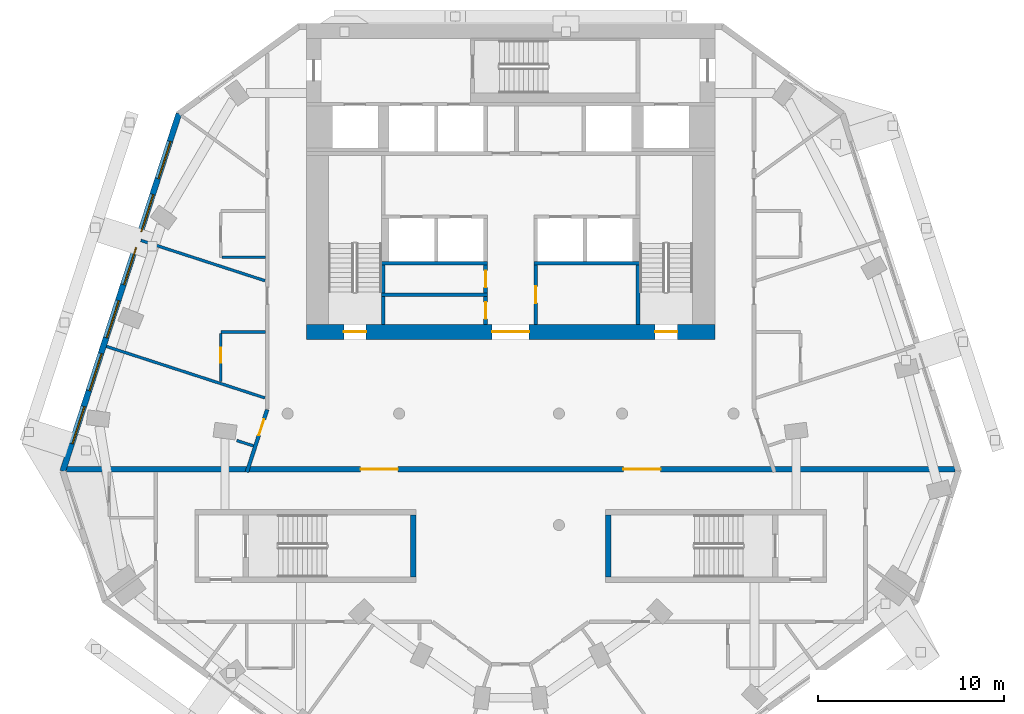
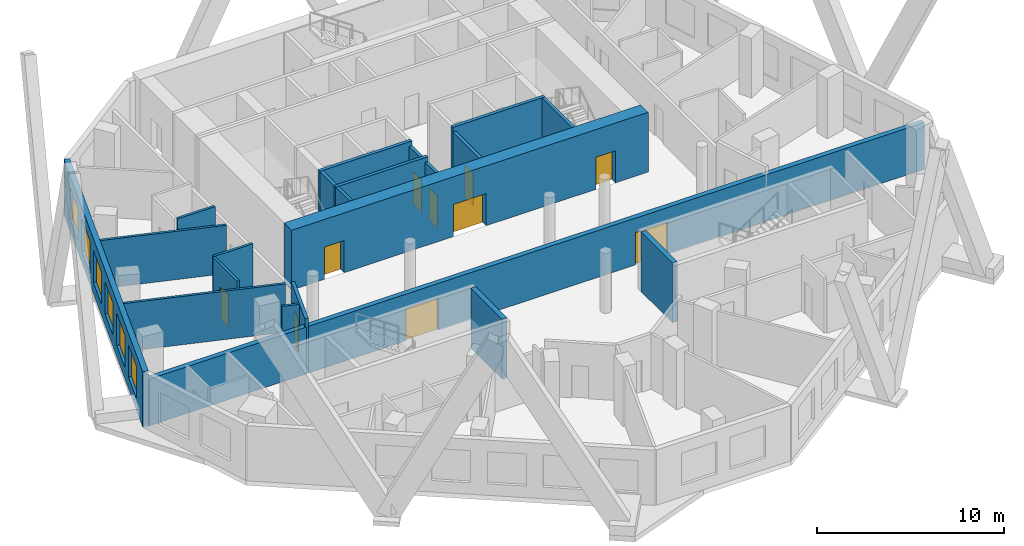
# One storey, part 4 of 10: 21 walls, 10 doors, 6 windows, 16 openings.
"""IFC4 building model written with IfcOpenShell, lengths in metres."""

from ifc_helpers import new_model, si_unit, direction, frame, frame_2d, origin, place, context, subcontext, project, spatial, rectangle, extrude, material, layer, layer_set, type_object, element, fill, save


model = new_model("IFC4")

# Units and contexts
model_context = context("Model", 3, precision=1e-05, world=origin(), true_north=direction((0.0, 1.0)))
body_context = subcontext(model_context, "Body", "Model", "MODEL_VIEW")
ifc_project = project(units=[si_unit("LENGTHUNIT", "METRE"), si_unit("AREAUNIT", "SQUARE_METRE"), si_unit("VOLUMEUNIT", "CUBIC_METRE"), si_unit("PLANEANGLEUNIT", "RADIAN"), si_unit("MASSUNIT", "GRAM", prefix="KILO")], contexts=[model_context])

# Site, building, storey
site_placement = place(None, origin())
site = spatial("IfcSite", under=ifc_project, at=site_placement, CompositionType="ELEMENT")
building_placement = place(site_placement, origin())
building = spatial("IfcBuilding", under=site, at=building_placement, Name="White Candle Pilgrim Tower", CompositionType="ELEMENT")
storey_placement = place(building_placement, frame((0.0, 0.0, 231.60009765625)))
storey = spatial("IfcBuildingStorey", under=building, at=storey_placement, Name="L54", CompositionType="ELEMENT", Elevation=231.60009765625)

# Wall, opening, door
ifc_material_1 = material(Name="Gypsum board on steel studs", Category="steel")
ifc_layer_1 = layer(ifc_material_1, 0.199951171875)
ifc_layer_set_1 = layer_set([ifc_layer_1], Name="Corridor wall 200 mm EI 45")
wall_type_1 = type_object("IfcWallType", Name="Corridor wall 200 mm EI 45", PredefinedType="PARTITIONING", material=ifc_layer_set_1)
wall_1_placement = place(storey_placement, frame((55.802978515625, 63.85009765625, 0.0), z_axis=(0.0, 0.0, 1.0), x_axis=(0.309026709141, 0.951053359721, 0.0)))
wall_1 = element("IfcWall", 1, at=wall_1_placement, inside=storey, type_object=wall_type_1, Name="WL-L54-P002", PredefinedType="PARTITIONING", context=body_context, shape_type="SweptSolid", body=[
    extrude(rectangle(XDim=3.53369140625, YDim=0.199951171875, at=frame_2d((1.766845703125, 0.0))), origin(), (0.0, 0.0, 1.0), 3.599853515625),
])
opening_1_placement = place(wall_1_placement, frame((2.091796875, 0.0, 0.0)))
opening_1 = element("IfcOpeningElement", 2, at=opening_1_placement, cuts=wall_1, Name="Opening T17-119", PredefinedType="OPENING", context=body_context, shape_type="SweptSolid", body=[
    extrude(rectangle(XDim=0.89990234375, YDim=2.10009765625, at=frame_2d((0.449951171875, 1.050048828125))), frame((0.0, 0.10986328125, 0.0), z_axis=(0.0, -1.0, 0.0), x_axis=(1.0, 0.0, 0.0)), (0.0, 0.0, 1.0), 0.219970703125),
])
ifc_material_2 = material(Name="Steel door leaf", Category="steel")
door_type_1 = type_object("IfcDoorType", Name="Fire door 900 x 2100 EI 30", OperationType="NOTDEFINED", PredefinedType="DOOR", material=ifc_material_2)
door_1_placement = place(opening_1_placement, origin())
door_1 = element("IfcDoor", 3, at=door_1_placement, inside=storey, type_object=door_type_1, Name="Door T17-119", OperationType="SINGLE_SWING_LEFT", OverallHeight=2.10009765625, OverallWidth=0.89990234375, PredefinedType="DOOR", context=body_context, shape_type="SweptSolid", body=[
    extrude(rectangle(XDim=0.89990234375, YDim=2.10009765625, at=frame_2d((0.449951171875, 1.050048828125))), frame((0.0, 0.02490234375, 0.0), z_axis=(0.0, -1.0, 0.0), x_axis=(1.0, 0.0, 0.0)), (0.0, 0.0, 1.0), 0.050048828125),
])
fill(opening_1, door_1)

# Wall, openings, windows
ifc_material_3 = material(Name="Precast concrete C40/50", Category="concrete")
ifc_layer_2 = layer(ifc_material_3, 0.320068359375)
ifc_layer_set_2 = layer_set([ifc_layer_2], Name="Facade wall EW1 precast concrete C40/50 pier wall with timber-lined reveals")
wall_type_2 = type_object("IfcWallType", Name="Facade wall EW1 precast concrete C40/50 pier wall with timber-lined reveals", PredefinedType="SOLIDWALL", material=ifc_layer_set_2)
wall_2_placement = place(storey_placement, frame((52.14453125, 83.138916015625, 0.0), z_axis=(0.0, 0.0, 1.0), x_axis=(-0.309017027312, -0.951056505593, 0.0)))
wall_2 = element("IfcWall", 4, at=wall_2_placement, inside=storey, type_object=wall_type_2, Name="Facade wall L54 WNW", PredefinedType="SOLIDWALL", context=body_context, shape_type="SweptSolid", body=[
    extrude(rectangle(XDim=20.228515625, YDim=0.320068359375, at=frame_2d((10.1142578125, 0.0))), origin(), (0.0, 0.0, 1.0), 3.599853515625),
])
opening_2_placement = place(wall_2_placement, frame((1.564453125, 0.0, 0.75)))
opening_2 = element("IfcOpeningElement", 5, at=opening_2_placement, cuts=wall_2, Name="Opening W3", PredefinedType="OPENING", context=body_context, shape_type="SweptSolid", body=[
    extrude(rectangle(XDim=2.10009765625, YDim=2.10009765625, at=frame_2d((1.050048828125, 1.050048828125))), frame((0.0, 0.169921875, 0.0), z_axis=(0.0, -1.0, 0.0), x_axis=(1.0, 0.0, 0.0)), (0.0, 0.0, 1.0), 0.340087890625),
])
opening_3_placement = place(wall_2_placement, frame((4.564453125, 0.0, 0.75)))
opening_3 = element("IfcOpeningElement", 6, at=opening_3_placement, cuts=wall_2, Name="Opening W3", PredefinedType="OPENING", context=body_context, shape_type="SweptSolid", body=[
    extrude(rectangle(XDim=2.10009765625, YDim=2.10009765625, at=frame_2d((1.050048828125, 1.050048828125))), frame((0.0, 0.169921875, 0.0), z_axis=(0.0, -1.0, 0.0), x_axis=(1.0, 0.0, 0.0)), (0.0, 0.0, 1.0), 0.340087890625),
])
opening_4_placement = place(wall_2_placement, frame((7.564453125, 0.0, 0.75)))
opening_4 = element("IfcOpeningElement", 7, at=opening_4_placement, cuts=wall_2, Name="Opening W3", PredefinedType="OPENING", context=body_context, shape_type="SweptSolid", body=[
    extrude(rectangle(XDim=2.10009765625, YDim=2.10009765625, at=frame_2d((1.050048828125, 1.050048828125))), frame((0.0, 0.169921875, 0.0), z_axis=(0.0, -1.0, 0.0), x_axis=(1.0, 0.0, 0.0)), (0.0, 0.0, 1.0), 0.340087890625),
])
opening_5_placement = place(wall_2_placement, frame((10.564453125, 0.0, 0.75)))
opening_5 = element("IfcOpeningElement", 8, at=opening_5_placement, cuts=wall_2, Name="Opening W3", PredefinedType="OPENING", context=body_context, shape_type="SweptSolid", body=[
    extrude(rectangle(XDim=2.10009765625, YDim=2.10009765625, at=frame_2d((1.050048828125, 1.050048828125))), frame((0.0, 0.169921875, 0.0), z_axis=(0.0, -1.0, 0.0), x_axis=(1.0, 0.0, 0.0)), (0.0, 0.0, 1.0), 0.340087890625),
])
opening_6_placement = place(wall_2_placement, frame((13.564453125, 0.0, 0.75)))
opening_6 = element("IfcOpeningElement", 9, at=opening_6_placement, cuts=wall_2, Name="Opening W3", PredefinedType="OPENING", context=body_context, shape_type="SweptSolid", body=[
    extrude(rectangle(XDim=2.10009765625, YDim=2.10009765625, at=frame_2d((1.050048828125, 1.050048828125))), frame((0.0, 0.169921875, 0.0), z_axis=(0.0, -1.0, 0.0), x_axis=(1.0, 0.0, 0.0)), (0.0, 0.0, 1.0), 0.340087890625),
])
opening_7_placement = place(wall_2_placement, frame((16.564453125, 0.0, 0.75)))
opening_7 = element("IfcOpeningElement", 10, at=opening_7_placement, cuts=wall_2, Name="Opening W3", PredefinedType="OPENING", context=body_context, shape_type="SweptSolid", body=[
    extrude(rectangle(XDim=2.10009765625, YDim=2.10009765625, at=frame_2d((1.050048828125, 1.050048828125))), frame((0.0, 0.169921875, 0.0), z_axis=(0.0, -1.0, 0.0), x_axis=(1.0, 0.0, 0.0)), (0.0, 0.0, 1.0), 0.340087890625),
])
ifc_material_4 = material(Name="Timber frame with triple glazing", Category="wood")
window_type = type_object("IfcWindowType", Name="Window W3 2100x2100 timber frame triple glazing", PartitioningType="SINGLE_PANEL", PredefinedType="WINDOW", material=ifc_material_4)
window_1_placement = place(opening_2_placement, origin())
window_1 = element("IfcWindow", 11, at=window_1_placement, inside=storey, type_object=window_type, Name="Window W3 L54 WNW 1", OverallHeight=2.10009765625, OverallWidth=2.10009765625, PartitioningType="SINGLE_PANEL", PredefinedType="WINDOW", context=body_context, shape_type="SweptSolid", body=[
    extrude(rectangle(XDim=2.10009765625, YDim=2.10009765625, at=frame_2d((1.050048828125, 1.050048828125))), frame((0.0, 0.070068359375, 0.0), z_axis=(0.0, -1.0, 0.0), x_axis=(1.0, 0.0, 0.0)), (0.0, 0.0, 1.0), 0.06005859375),
])
fill(opening_2, window_1)
window_2_placement = place(opening_3_placement, origin())
window_2 = element("IfcWindow", 12, at=window_2_placement, inside=storey, type_object=window_type, Name="Window W3 L54 WNW 2", OverallHeight=2.10009765625, OverallWidth=2.10009765625, PartitioningType="SINGLE_PANEL", PredefinedType="WINDOW", context=body_context, shape_type="SweptSolid", body=[
    extrude(rectangle(XDim=2.10009765625, YDim=2.10009765625, at=frame_2d((1.050048828125, 1.050048828125))), frame((0.0, 0.070068359375, 0.0), z_axis=(0.0, -1.0, 0.0), x_axis=(1.0, 0.0, 0.0)), (0.0, 0.0, 1.0), 0.06005859375),
])
fill(opening_3, window_2)
window_3_placement = place(opening_4_placement, origin())
window_3 = element("IfcWindow", 13, at=window_3_placement, inside=storey, type_object=window_type, Name="Window W3 L54 WNW 3", OverallHeight=2.10009765625, OverallWidth=2.10009765625, PartitioningType="SINGLE_PANEL", PredefinedType="WINDOW", context=body_context, shape_type="SweptSolid", body=[
    extrude(rectangle(XDim=2.10009765625, YDim=2.10009765625, at=frame_2d((1.050048828125, 1.050048828125))), frame((0.0, 0.070068359375, 0.0), z_axis=(0.0, -1.0, 0.0), x_axis=(1.0, 0.0, 0.0)), (0.0, 0.0, 1.0), 0.06005859375),
])
fill(opening_4, window_3)
window_4_placement = place(opening_5_placement, origin())
window_4 = element("IfcWindow", 14, at=window_4_placement, inside=storey, type_object=window_type, Name="Window W3 L54 WNW 4", OverallHeight=2.10009765625, OverallWidth=2.10009765625, PartitioningType="SINGLE_PANEL", PredefinedType="WINDOW", context=body_context, shape_type="SweptSolid", body=[
    extrude(rectangle(XDim=2.10009765625, YDim=2.10009765625, at=frame_2d((1.050048828125, 1.050048828125))), frame((0.0, 0.070068359375, 0.0), z_axis=(0.0, -1.0, 0.0), x_axis=(1.0, 0.0, 0.0)), (0.0, 0.0, 1.0), 0.06005859375),
])
fill(opening_5, window_4)
window_5_placement = place(opening_6_placement, origin())
window_5 = element("IfcWindow", 15, at=window_5_placement, inside=storey, type_object=window_type, Name="Window W3 L54 WNW 5", OverallHeight=2.10009765625, OverallWidth=2.10009765625, PartitioningType="SINGLE_PANEL", PredefinedType="WINDOW", context=body_context, shape_type="SweptSolid", body=[
    extrude(rectangle(XDim=2.10009765625, YDim=2.10009765625, at=frame_2d((1.050048828125, 1.050048828125))), frame((0.0, 0.070068359375, 0.0), z_axis=(0.0, -1.0, 0.0), x_axis=(1.0, 0.0, 0.0)), (0.0, 0.0, 1.0), 0.06005859375),
])
fill(opening_6, window_5)
window_6_placement = place(opening_7_placement, origin())
window_6 = element("IfcWindow", 16, at=window_6_placement, inside=storey, type_object=window_type, Name="Window W3 L54 WNW 6", OverallHeight=2.10009765625, OverallWidth=2.10009765625, PartitioningType="SINGLE_PANEL", PredefinedType="WINDOW", context=body_context, shape_type="SweptSolid", body=[
    extrude(rectangle(XDim=2.10009765625, YDim=2.10009765625, at=frame_2d((1.050048828125, 1.050048828125))), frame((0.0, 0.070068359375, 0.0), z_axis=(0.0, -1.0, 0.0), x_axis=(1.0, 0.0, 0.0)), (0.0, 0.0, 1.0), 0.06005859375),
])
fill(opening_7, window_6)

# Wall, openings, doors
ifc_material_5 = material(Name="Aerated concrete block", Category="concrete")
ifc_layer_3 = layer(ifc_material_5, 0.300048828125)
ifc_layer_set_3 = layer_set([ifc_layer_3], Name="Fire wall 300 mm REI 240")
wall_type_3 = type_object("IfcWallType", Name="Fire wall 300 mm REI 240", PredefinedType="PARTITIONING", material=ifc_layer_set_3)
wall_3_placement = place(storey_placement, frame((46.09423828125, 64.0, 0.0), z_axis=(0.0, 0.0, 1.0), x_axis=(1.0, 0.0, 0.0)))
wall_3 = element("IfcWall", 17, at=wall_3_placement, inside=storey, type_object=wall_type_3, Name="WL-L54-P001", PredefinedType="PARTITIONING", context=body_context, shape_type="SweptSolid", body=[
    extrude(rectangle(XDim=47.8115234375, YDim=0.300048828125, at=frame_2d((23.90576171875, 0.0))), origin(), (0.0, 0.0, 1.0), 3.0498046875),
])
opening_8_placement = place(wall_3_placement, frame((15.831787109375, 0.0, 0.0)))
opening_8 = element("IfcOpeningElement", 18, at=opening_8_placement, cuts=wall_3, Name="Opening T17-117", PredefinedType="OPENING", context=body_context, shape_type="SweptSolid", body=[
    extrude(rectangle(XDim=2.0, YDim=2.10009765625, at=frame_2d((1.0, 1.050048828125))), frame((0.0, 0.159912109375, 0.0), z_axis=(0.0, -1.0, 0.0), x_axis=(1.0, 0.0, 0.0)), (0.0, 0.0, 1.0), 0.320068359375),
])
opening_9_placement = place(wall_3_placement, frame((29.97998046875, 0.0, 0.0)))
opening_9 = element("IfcOpeningElement", 19, at=opening_9_placement, cuts=wall_3, Name="Opening T17-118", PredefinedType="OPENING", context=body_context, shape_type="SweptSolid", body=[
    extrude(rectangle(XDim=2.0, YDim=2.10009765625, at=frame_2d((1.0, 1.050048828125))), frame((0.0, 0.159912109375, 0.0), z_axis=(0.0, -1.0, 0.0), x_axis=(1.0, 0.0, 0.0)), (0.0, 0.0, 1.0), 0.320068359375),
])
door_type_2 = type_object("IfcDoorType", Name="Fire door 2000 x 2100 EI 60", OperationType="NOTDEFINED", PredefinedType="DOOR", material=ifc_material_2)
door_2_placement = place(opening_8_placement, origin())
door_2 = element("IfcDoor", 20, at=door_2_placement, inside=storey, type_object=door_type_2, Name="Door T17-117", OperationType="DOUBLE_DOOR_SINGLE_SWING", OverallHeight=2.10009765625, OverallWidth=2.0, PredefinedType="DOOR", context=body_context, shape_type="SweptSolid", body=[
    extrude(rectangle(XDim=2.0, YDim=2.10009765625, at=frame_2d((1.0, 1.050048828125))), frame((0.0, 0.02490234375, 0.0), z_axis=(0.0, -1.0, 0.0), x_axis=(1.0, 0.0, 0.0)), (0.0, 0.0, 1.0), 0.050048828125),
])
fill(opening_8, door_2)
door_3_placement = place(opening_9_placement, origin())
door_3 = element("IfcDoor", 21, at=door_3_placement, inside=storey, type_object=door_type_2, Name="Door T17-118", OperationType="DOUBLE_DOOR_SINGLE_SWING", OverallHeight=2.10009765625, OverallWidth=2.0, PredefinedType="DOOR", context=body_context, shape_type="SweptSolid", body=[
    extrude(rectangle(XDim=2.0, YDim=2.10009765625, at=frame_2d((1.0, 1.050048828125))), frame((0.0, 0.02490234375, 0.0), z_axis=(0.0, -1.0, 0.0), x_axis=(1.0, 0.0, 0.0)), (0.0, 0.0, 1.0), 0.050048828125),
])
fill(opening_9, door_3)

# Wall, opening, door
ifc_layer_4 = layer(ifc_material_1, 0.199951171875)
ifc_layer_set_4 = layer_set([ifc_layer_4], Name="Lobby wall 200 mm EI 60")
wall_type_4 = type_object("IfcWallType", Name="Lobby wall 200 mm EI 60", PredefinedType="PARTITIONING", material=ifc_layer_set_4)
wall_4_placement = place(storey_placement, frame((68.64990234375, 71.800048828125, 0.0), z_axis=(0.0, 0.0, 1.0), x_axis=(0.0, 1.0, 0.0)))
wall_4 = element("IfcWall", 22, at=wall_4_placement, inside=storey, type_object=wall_type_4, Name="WL-L54-C14", PredefinedType="PARTITIONING", context=body_context, shape_type="SweptSolid", body=[
    extrude(rectangle(XDim=1.5, YDim=0.199951171875, at=frame_2d((0.75, 0.0))), origin(), (0.0, 0.0, 1.0), 3.599853515625),
])
opening_10_placement = place(wall_4_placement, frame((0.300048828125, 0.0, 0.0)))
opening_10 = element("IfcOpeningElement", 23, at=opening_10_placement, cuts=wall_4, Name="Opening T17-005", PredefinedType="OPENING", context=body_context, shape_type="SweptSolid", body=[
    extrude(rectangle(XDim=0.89990234375, YDim=2.10009765625, at=frame_2d((0.449951171875, 1.050048828125))), frame((0.0, 0.10986328125, 0.0), z_axis=(0.0, -1.0, 0.0), x_axis=(1.0, 0.0, 0.0)), (0.0, 0.0, 1.0), 0.219970703125),
])
door_4_placement = place(opening_10_placement, origin())
door_4 = element("IfcDoor", 24, at=door_4_placement, inside=storey, type_object=door_type_1, Name="Door T17-005", OperationType="SINGLE_SWING_LEFT", OverallHeight=2.10009765625, OverallWidth=0.89990234375, PredefinedType="DOOR", context=body_context, shape_type="SweptSolid", body=[
    extrude(rectangle(XDim=0.89990234375, YDim=2.10009765625, at=frame_2d((0.449951171875, 1.050048828125))), frame((0.0, 0.02490234375, 0.0), z_axis=(0.0, -1.0, 0.0), x_axis=(1.0, 0.0, 0.0)), (0.0, 0.0, 1.0), 0.050048828125),
])
fill(opening_10, door_4)

wall_5_placement = place(storey_placement, frame((71.35009765625, 71.800048828125, 0.0), z_axis=(0.0, 0.0, 1.0), x_axis=(0.0, 1.0, 0.0)))
wall_5 = element("IfcWall", 25, at=wall_5_placement, inside=storey, type_object=wall_type_4, Name="WL-L54-C15", PredefinedType="PARTITIONING", context=body_context, shape_type="SweptSolid", body=[
    extrude(rectangle(XDim=3.199951171875, YDim=0.199951171875, at=frame_2d((1.60009765625, 0.0))), origin(), (0.0, 0.0, 1.0), 3.599853515625),
])
opening_11_placement = place(wall_5_placement, frame((1.14990234375, 0.0, 0.0)))
opening_11 = element("IfcOpeningElement", 26, at=opening_11_placement, cuts=wall_5, Name="Opening T17-007", PredefinedType="OPENING", context=body_context, shape_type="SweptSolid", body=[
    extrude(rectangle(XDim=0.89990234375, YDim=2.10009765625, at=frame_2d((0.449951171875, 1.050048828125))), frame((0.0, 0.10986328125, 0.0), z_axis=(0.0, -1.0, 0.0), x_axis=(1.0, 0.0, 0.0)), (0.0, 0.0, 1.0), 0.219970703125),
])
door_5_placement = place(opening_11_placement, origin())
door_5 = element("IfcDoor", 27, at=door_5_placement, inside=storey, type_object=door_type_1, Name="Door T17-007", OperationType="SINGLE_SWING_LEFT", OverallHeight=2.10009765625, OverallWidth=0.89990234375, PredefinedType="DOOR", context=body_context, shape_type="SweptSolid", body=[
    extrude(rectangle(XDim=0.89990234375, YDim=2.10009765625, at=frame_2d((0.449951171875, 1.050048828125))), frame((0.0, 0.02490234375, 0.0), z_axis=(0.0, -1.0, 0.0), x_axis=(1.0, 0.0, 0.0)), (0.0, 0.0, 1.0), 0.050048828125),
])
fill(opening_11, door_5)

wall_6_placement = place(storey_placement, frame((68.64990234375, 73.5, 0.0), z_axis=(0.0, 0.0, 1.0), x_axis=(0.0, 1.0, 0.0)))
wall_6 = element("IfcWall", 28, at=wall_6_placement, inside=storey, type_object=wall_type_4, Name="WL-L54-C20", PredefinedType="PARTITIONING", context=body_context, shape_type="SweptSolid", body=[
    extrude(rectangle(XDim=1.5, YDim=0.199951171875, at=frame_2d((0.75, 0.0))), origin(), (0.0, 0.0, 1.0), 3.599853515625),
])
opening_12_placement = place(wall_6_placement, frame((0.300048828125, 0.0, 0.0)))
opening_12 = element("IfcOpeningElement", 29, at=opening_12_placement, cuts=wall_6, Name="Opening T17-006", PredefinedType="OPENING", context=body_context, shape_type="SweptSolid", body=[
    extrude(rectangle(XDim=0.89990234375, YDim=2.10009765625, at=frame_2d((0.449951171875, 1.050048828125))), frame((0.0, 0.10986328125, 0.0), z_axis=(0.0, -1.0, 0.0), x_axis=(1.0, 0.0, 0.0)), (0.0, 0.0, 1.0), 0.219970703125),
])
door_6_placement = place(opening_12_placement, origin())
door_6 = element("IfcDoor", 30, at=door_6_placement, inside=storey, type_object=door_type_1, Name="Door T17-006", OperationType="SINGLE_SWING_RIGHT", OverallHeight=2.10009765625, OverallWidth=0.89990234375, PredefinedType="DOOR", context=body_context, shape_type="SweptSolid", body=[
    extrude(rectangle(XDim=0.89990234375, YDim=2.10009765625, at=frame_2d((0.449951171875, 1.050048828125))), frame((0.0, 0.02490234375, 0.0), z_axis=(0.0, -1.0, 0.0), x_axis=(1.0, 0.0, 0.0)), (0.0, 0.0, 1.0), 0.050048828125),
])
fill(opening_12, door_6)

# Walls
ifc_layer_5 = layer(ifc_material_1, 0.14990234375)
ifc_layer_set_5 = layer_set([ifc_layer_5], Name="Partition 150 mm EI 60")
wall_type_5 = type_object("IfcWallType", Name="Partition 150 mm EI 60", PredefinedType="PARTITIONING", material=ifc_layer_set_5)
wall_7_placement = place(storey_placement, frame((50.098388671875, 76.323486328125, 0.0), z_axis=(0.0, 0.0, 1.0), x_axis=(0.951058338022, -0.30901138762, 0.0)))
element("IfcWall", 31, at=wall_7_placement, inside=storey, type_object=wall_type_5, Name="WL-L54-P019", PredefinedType="PARTITIONING", context=body_context, shape_type="SweptSolid", body=[
    extrude(rectangle(XDim=7.022216796875, YDim=0.14990234375, at=frame_2d((3.51123046875, 0.0))), origin(), (0.0, 0.0, 1.0), 3.14990234375),
])
wall_8_placement = place(storey_placement, frame((48.244140625, 70.6171875, 0.0), z_axis=(0.0, 0.0, 1.0), x_axis=(0.951056063509, -0.309018387903, 0.0)))
element("IfcWall", 32, at=wall_8_placement, inside=storey, type_object=wall_type_5, Name="WL-L54-P020", PredefinedType="PARTITIONING", context=body_context, shape_type="SweptSolid", body=[
    extrude(rectangle(XDim=8.971923828125, YDim=0.14990234375, at=frame_2d((4.48583984375, 0.0))), origin(), (0.0, 0.0, 1.0), 3.14990234375),
])
wall_9_placement = place(storey_placement, frame((56.800048828125, 75.413330078125, 0.0), z_axis=(0.0, 0.0, 1.0), x_axis=(-1.0, 0.0, 0.0)))
element("IfcWall", 33, at=wall_9_placement, inside=storey, type_object=wall_type_5, Name="WL-L54-P023", PredefinedType="PARTITIONING", context=body_context, shape_type="SweptSolid", body=[
    extrude(rectangle(XDim=2.324951171875, YDim=0.14990234375, at=frame_2d((1.16259765625, 0.0))), origin(), (0.0, 0.0, 1.0), 3.599853515625),
])
wall_10_placement = place(storey_placement, frame((56.800048828125, 71.39990234375, 0.0), z_axis=(0.0, 0.0, 1.0), x_axis=(-1.0, 0.0, 0.0)))
element("IfcWall", 34, at=wall_10_placement, inside=storey, type_object=wall_type_5, Name="WL-L54-P024", PredefinedType="PARTITIONING", context=body_context, shape_type="SweptSolid", body=[
    extrude(rectangle(XDim=2.400146484375, YDim=0.14990234375, at=frame_2d((1.2001953125, 0.0))), origin(), (0.0, 0.0, 1.0), 3.599853515625),
])

# Wall, opening, door
wall_11_placement = place(storey_placement, frame((54.39990234375, 68.72021484375, 0.0), z_axis=(0.0, 0.0, 1.0), x_axis=(0.0, 1.0, 0.0)))
wall_11 = element("IfcWall", 35, at=wall_11_placement, inside=storey, type_object=wall_type_5, Name="WL-L54-P025", PredefinedType="PARTITIONING", context=body_context, shape_type="SweptSolid", body=[
    extrude(rectangle(XDim=2.604736328125, YDim=0.14990234375, at=frame_2d((1.30224609375, 0.0))), origin(), (0.0, 0.0, 1.0), 3.599853515625),
])
opening_13_placement = place(wall_11_placement, frame((1.02978515625, 0.0, 0.0)))
opening_13 = element("IfcOpeningElement", 36, at=opening_13_placement, cuts=wall_11, Name="Opening T17-102", PredefinedType="OPENING", context=body_context, shape_type="SweptSolid", body=[
    extrude(rectangle(XDim=0.800048828125, YDim=2.10009765625, at=frame_2d((0.39990234375, 1.050048828125))), frame((0.0, 0.0849609375, 0.0), z_axis=(0.0, -1.0, 0.0), x_axis=(1.0, 0.0, 0.0)), (0.0, 0.0, 1.0), 0.169921875),
])
door_type_3 = type_object("IfcDoorType", Name="Fire door 800 x 2100 EI 30", OperationType="NOTDEFINED", PredefinedType="DOOR", material=ifc_material_2)
door_7_placement = place(opening_13_placement, origin())
door_7 = element("IfcDoor", 37, at=door_7_placement, inside=storey, type_object=door_type_3, Name="Door T17-102", OperationType="SINGLE_SWING_RIGHT", OverallHeight=2.10009765625, OverallWidth=0.800048828125, PredefinedType="DOOR", context=body_context, shape_type="SweptSolid", body=[
    extrude(rectangle(XDim=0.800048828125, YDim=2.10009765625, at=frame_2d((0.39990234375, 1.050048828125))), frame((0.0, 0.02490234375, 0.0), z_axis=(0.0, -1.0, 0.0), x_axis=(1.0, 0.0, 0.0)), (0.0, 0.0, 1.0), 0.050048828125),
])
fill(opening_13, door_7)

# Walls
wall_12_placement = place(storey_placement, frame((55.2568359375, 65.55517578125, 0.0), z_axis=(0.0, 0.0, 1.0), x_axis=(0.951054918228, -0.309021912676, 0.0)))
element("IfcWall", 38, at=wall_12_placement, inside=storey, type_object=wall_type_5, Name="WL-L54-P047", PredefinedType="PARTITIONING", context=body_context, shape_type="SweptSolid", body=[
    extrude(rectangle(XDim=0.946533203125, YDim=0.14990234375, at=frame_2d((0.47314453125, 0.0))), origin(), (0.0, 0.0, 1.0), 3.599853515625),
])
ifc_material_6 = material(Name="Concrete C50/60", Category="concrete")
ifc_layer_6 = layer(ifc_material_6, 0.199951171875)
ifc_layer_set_6 = layer_set([ifc_layer_6], Name="Stair shaft wall 200 mm Concrete C50/60")
wall_type_6 = type_object("IfcWallType", Name="Stair shaft wall 200 mm Concrete C50/60", PredefinedType="SHEAR", material=ifc_layer_set_6)
wall_13_placement = place(storey_placement, frame((63.14990234375, 71.800048828125, 0.0), z_axis=(0.0, 0.0, 1.0), x_axis=(0.0, 1.0, 0.0)))
element("IfcWall", 39, at=wall_13_placement, inside=storey, type_object=wall_type_6, Name="WL-L54-C13", PredefinedType="SHEAR", context=body_context, shape_type="SweptSolid", body=[
    extrude(rectangle(XDim=1.5, YDim=0.199951171875, at=frame_2d((0.75, 0.0))), origin(), (0.0, 0.0, 1.0), 3.89990234375),
])
wall_14_placement = place(storey_placement, frame((76.85009765625, 71.800048828125, 0.0), z_axis=(0.0, 0.0, 1.0), x_axis=(0.0, 1.0, 0.0)))
element("IfcWall", 40, at=wall_14_placement, inside=storey, type_object=wall_type_6, Name="WL-L54-C16", PredefinedType="SHEAR", context=body_context, shape_type="SweptSolid", body=[
    extrude(rectangle(XDim=3.199951171875, YDim=0.199951171875, at=frame_2d((1.60009765625, 0.0))), origin(), (0.0, 0.0, 1.0), 3.89990234375),
])
wall_15_placement = place(storey_placement, frame((63.050048828125, 73.39990234375, 0.0), z_axis=(0.0, 0.0, 1.0), x_axis=(1.0, 0.0, 0.0)))
element("IfcWall", 41, at=wall_15_placement, inside=storey, type_object=wall_type_6, Name="WL-L54-C18", PredefinedType="SHEAR", context=body_context, shape_type="SweptSolid", body=[
    extrude(rectangle(XDim=5.699951171875, YDim=0.199951171875, at=frame_2d((2.85009765625, 0.0))), origin(), (0.0, 0.0, 1.0), 3.89990234375),
])
wall_16_placement = place(storey_placement, frame((63.14990234375, 73.5, 0.0), z_axis=(0.0, 0.0, 1.0), x_axis=(0.0, 1.0, 0.0)))
element("IfcWall", 42, at=wall_16_placement, inside=storey, type_object=wall_type_6, Name="WL-L54-C19", PredefinedType="SHEAR", context=body_context, shape_type="SweptSolid", body=[
    extrude(rectangle(XDim=1.5, YDim=0.199951171875, at=frame_2d((0.75, 0.0))), origin(), (0.0, 0.0, 1.0), 3.89990234375),
])
for number, where, z_axis, x_axis, name in (
    (43, (63.050048828125, 75.10009765625, 0.0), (0.0, 0.0, 1.0), (1.0, 0.0, 0.0), "WL-L54-C21"),
    (44, (71.25, 75.10009765625, 0.0), (0.0, 0.0, 1.0), (1.0, 0.0, 0.0), "WL-L54-C22"),
):
    element("IfcWall", number, at=place(storey_placement, frame(where, z_axis=z_axis, x_axis=x_axis)), inside=storey, type_object=wall_type_6, Name=name, PredefinedType="SHEAR", context=body_context, shape_type="SweptSolid", body=[
        extrude(rectangle(XDim=5.699951171875, YDim=0.199951171875, at=frame_2d((2.85009765625, 0.0))), origin(), (0.0, 0.0, 1.0), 3.89990234375),
    ])
ifc_layer_7 = layer(ifc_material_6, 0.300048828125)
ifc_layer_set_7 = layer_set([ifc_layer_7], Name="Stair shaft wall 300 mm Concrete C50/60")
wall_type_7 = type_object("IfcWallType", Name="Stair shaft wall 300 mm Concrete C50/60", PredefinedType="SHEAR", material=ifc_layer_set_7)
for number, where, z_axis, x_axis, name in (
    (45, (64.75, 58.199951171875, 0.0), (0.0, 0.0, 1.0), (0.0, 1.0, 0.0), "WL-L54-C05"),
    (46, (75.25, 58.199951171875, 0.0), (0.0, 0.0, 1.0), (0.0, 1.0, 0.0), "WL-L54-C06"),
):
    element("IfcWall", number, at=place(storey_placement, frame(where, z_axis=z_axis, x_axis=x_axis)), inside=storey, type_object=wall_type_7, Name=name, PredefinedType="SHEAR", context=body_context, shape_type="SweptSolid", body=[
        extrude(rectangle(XDim=3.35009765625, YDim=0.300048828125, at=frame_2d((1.675048828125, 0.0))), origin(), (0.0, 0.0, 1.0), 3.89990234375),
    ])

# Wall, openings, doors
ifc_layer_8 = layer(ifc_material_6, 0.800048828125)
ifc_layer_set_8 = layer_set([ifc_layer_8], Name="Stair shaft wall 800 mm Concrete C50/60")
wall_type_8 = type_object("IfcWallType", Name="Stair shaft wall 800 mm Concrete C50/60", PredefinedType="SHEAR", material=ifc_layer_set_8)
wall_17_placement = place(storey_placement, frame((59.0, 71.39990234375, 0.0), z_axis=(0.0, 0.0, 1.0), x_axis=(1.0, 0.0, 0.0)))
wall_17 = element("IfcWall", 47, at=wall_17_placement, inside=storey, type_object=wall_type_8, Name="WL-L54-C11", PredefinedType="SHEAR", context=body_context, shape_type="SweptSolid", body=[
    extrude(rectangle(XDim=22.0, YDim=0.800048828125, at=frame_2d((11.0, 0.0))), origin(), (0.0, 0.0, 1.0), 3.89990234375),
])
opening_14_placement = place(wall_17_placement, frame((2.02490234375, 0.0, 0.0)))
opening_14 = element("IfcOpeningElement", 48, at=opening_14_placement, cuts=wall_17, Name="Opening T17-001", PredefinedType="OPENING", context=body_context, shape_type="SweptSolid", body=[
    extrude(rectangle(XDim=1.199951171875, YDim=2.10009765625, at=frame_2d((0.60009765625, 1.050048828125))), frame((0.0, 0.409912109375, 0.0), z_axis=(0.0, -1.0, 0.0), x_axis=(1.0, 0.0, 0.0)), (0.0, 0.0, 1.0), 0.820068359375),
])
opening_15_placement = place(wall_17_placement, frame((18.77490234375, 0.0, 0.0)))
opening_15 = element("IfcOpeningElement", 49, at=opening_15_placement, cuts=wall_17, Name="Opening T17-002", PredefinedType="OPENING", context=body_context, shape_type="SweptSolid", body=[
    extrude(rectangle(XDim=1.199951171875, YDim=2.10009765625, at=frame_2d((0.60009765625, 1.050048828125))), frame((0.0, 0.409912109375, 0.0), z_axis=(0.0, -1.0, 0.0), x_axis=(1.0, 0.0, 0.0)), (0.0, 0.0, 1.0), 0.820068359375),
])
opening_16_placement = place(wall_17_placement, frame((10.0, 0.0, 0.0)))
opening_16 = element("IfcOpeningElement", 50, at=opening_16_placement, cuts=wall_17, Name="Opening T17-004", PredefinedType="OPENING", context=body_context, shape_type="SweptSolid", body=[
    extrude(rectangle(XDim=2.0, YDim=2.10009765625, at=frame_2d((1.0, 1.050048828125))), frame((0.0, 0.409912109375, 0.0), z_axis=(0.0, -1.0, 0.0), x_axis=(1.0, 0.0, 0.0)), (0.0, 0.0, 1.0), 0.820068359375),
])
door_type_4 = type_object("IfcDoorType", Name="Fire door 1200 x 2100 EI 60", OperationType="NOTDEFINED", PredefinedType="DOOR", material=ifc_material_2)
door_8_placement = place(opening_14_placement, frame((1.199951171875, 0.0, 0.0), z_axis=(0.0, 0.0, 1.0), x_axis=(-1.0, 0.0, 0.0)))
door_8 = element("IfcDoor", 51, at=door_8_placement, inside=storey, type_object=door_type_4, Name="Door T17-001", OperationType="SINGLE_SWING_RIGHT", OverallHeight=2.10009765625, OverallWidth=1.199951171875, PredefinedType="DOOR", context=body_context, shape_type="SweptSolid", body=[
    extrude(rectangle(XDim=1.199951171875, YDim=2.10009765625, at=frame_2d((0.60009765625, 1.050048828125))), frame((0.0, 0.02490234375, 0.0), z_axis=(0.0, -1.0, 0.0), x_axis=(1.0, 0.0, 0.0)), (0.0, 0.0, 1.0), 0.050048828125),
])
fill(opening_14, door_8)
door_9_placement = place(opening_15_placement, frame((1.199951171875, 0.0, 0.0), z_axis=(0.0, 0.0, 1.0), x_axis=(-1.0, 0.0, 0.0)))
door_9 = element("IfcDoor", 52, at=door_9_placement, inside=storey, type_object=door_type_4, Name="Door T17-002", OperationType="SINGLE_SWING_LEFT", OverallHeight=2.10009765625, OverallWidth=1.199951171875, PredefinedType="DOOR", context=body_context, shape_type="SweptSolid", body=[
    extrude(rectangle(XDim=1.199951171875, YDim=2.10009765625, at=frame_2d((0.60009765625, 1.050048828125))), frame((0.0, 0.02490234375, 0.0), z_axis=(0.0, -1.0, 0.0), x_axis=(1.0, 0.0, 0.0)), (0.0, 0.0, 1.0), 0.050048828125),
])
fill(opening_15, door_9)
door_10_placement = place(opening_16_placement, frame((2.0, 0.0, 0.0), z_axis=(0.0, 0.0, 1.0), x_axis=(-1.0, 0.0, 0.0)))
door_10 = element("IfcDoor", 53, at=door_10_placement, inside=storey, type_object=door_type_2, Name="Door T17-004", OperationType="DOUBLE_DOOR_SINGLE_SWING", OverallHeight=2.10009765625, OverallWidth=2.0, PredefinedType="DOOR", context=body_context, shape_type="SweptSolid", body=[
    extrude(rectangle(XDim=2.0, YDim=2.10009765625, at=frame_2d((1.0, 1.050048828125))), frame((0.0, 0.02490234375, 0.0), z_axis=(0.0, -1.0, 0.0), x_axis=(1.0, 0.0, 0.0)), (0.0, 0.0, 1.0), 0.050048828125),
])
fill(opening_16, door_10)

save(model, "model.ifc")
